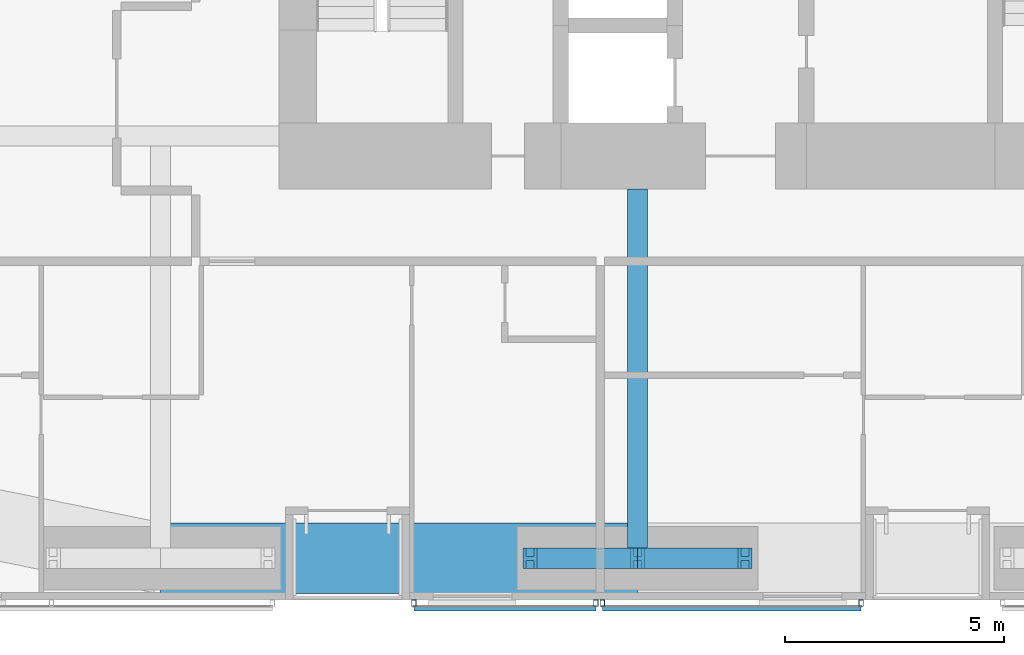
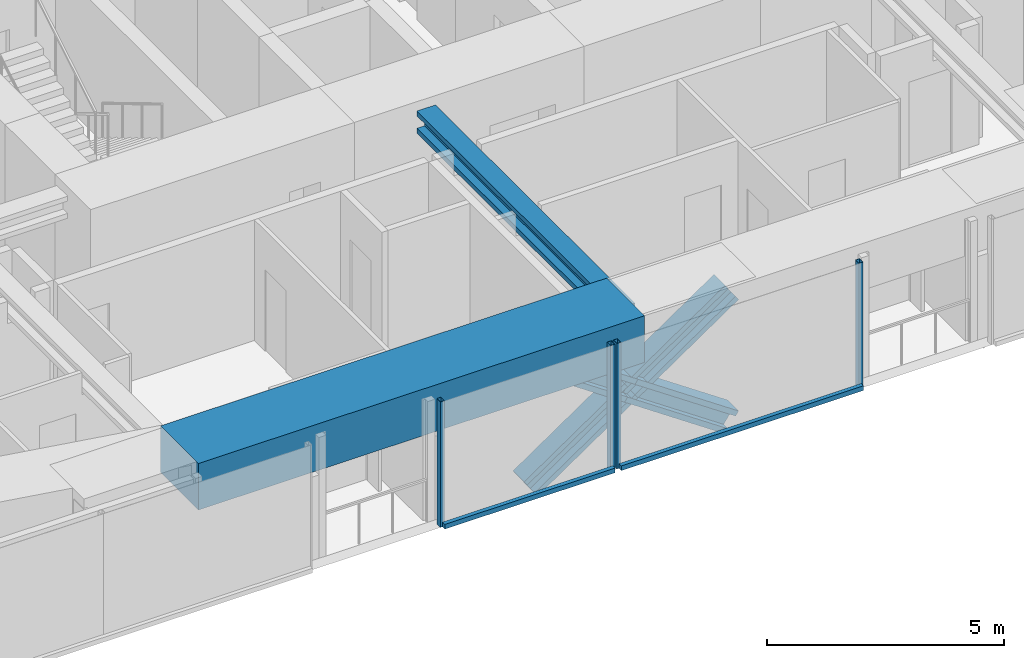
# One storey, part 4 of 24: 10 members, 2 beams, 2 elements without a shape of their own.
"""IFC4 building model written with IfcOpenShell, lengths in metres."""

from ifc_helpers import new_model, si_unit, direction, frame, origin, origin_2d, place, context, subcontext, project, spatial, rectangle, hollow_rectangle, i_section, extrude, material, material_profile, profile_set, type_object, element, aggregate, save


model = new_model("IFC4")

# Units and contexts
model_context = context("Model", 3, precision=1e-05, world=origin(), true_north=direction((0.0, 1.0)))
body_context = subcontext(model_context, "Body", "Model", "MODEL_VIEW")
ifc_project = project(units=[si_unit("LENGTHUNIT", "METRE"), si_unit("AREAUNIT", "SQUARE_METRE"), si_unit("VOLUMEUNIT", "CUBIC_METRE"), si_unit("PLANEANGLEUNIT", "RADIAN"), si_unit("MASSUNIT", "GRAM", prefix="KILO")], contexts=[model_context])

# Site, building, storey
site_placement = place(None, origin())
site = spatial("IfcSite", under=ifc_project, at=site_placement, CompositionType="ELEMENT")
building_placement = place(site_placement, origin())
building = spatial("IfcBuilding", under=site, at=building_placement, Name="Jalousie Tower", CompositionType="ELEMENT")
storey_placement = place(building_placement, frame((0.0, 0.0, 124.949951171875)))
storey = spatial("IfcBuildingStorey", under=building, at=storey_placement, Name="L34", CompositionType="ELEMENT", Elevation=124.949951171875)

# Beam
ifc_material_1 = material(Name="Steel ASTM A992 Grade 50", Category="steel")
ifc_material_profile_1 = material_profile(ifc_material_1, i_section(OverallWidth=0.45458984375, OverallDepth=0.569091796875, WebThickness=0.077880859375, FlangeThickness=0.124755859375, at=origin_2d()), Name="W14X730")
ifc_profile_set_1 = profile_set([ifc_material_profile_1], Name="Steel ASTM A992 Grade 50")
beam_type_1 = type_object("IfcBeamType", Name="LEAN COLLECTOR W14X730", PredefinedType="BEAM", material=ifc_profile_set_1)
beam_1_placement = place(storey_placement, frame((27.75, 0.949951171875, 2.825439453125), z_axis=(0.0, 1.0, 0.0), x_axis=(-1.0, 0.0, 0.0)))
element("IfcBeam", 1, at=beam_1_placement, inside=storey, type_object=beam_type_1, Name="Lean collector under L35", PredefinedType="BEAM", context=body_context, shape_type="SweptSolid", body=[
    extrude(i_section(OverallWidth=0.45458984375, OverallDepth=0.569091796875, WebThickness=0.077880859375, FlangeThickness=0.124755859375, at=origin_2d()), origin(), (0.0, 0.0, 1.0), 8.425048828125),
])

# Members
ifc_material_2 = material(Name="Steel ASTM A992 Grade 50", Category="steel")
ifc_material_profile_2 = material_profile(ifc_material_2, i_section(OverallWidth=0.472412109375, OverallDepth=0.5791015625, WebThickness=0.094970703125, FlangeThickness=0.1298828125, at=origin_2d()), Name="W14X808")
ifc_profile_set_2 = profile_set([ifc_material_profile_2], Name="Steel ASTM A992 Grade 50")
member_type_1 = type_object("IfcMemberType", Name="PERIMETER BRACE W14X808", PredefinedType="BRACE", material=ifc_profile_set_2)
for number, where, z_axis, x_axis, name in (
    (2, (25.300048828125, 0.949951171875, -0.599853515625), (0.825539243753, 0.0, 0.564344714713), (0.0, 1.0, 0.0), "Perimeter brace 03 L34 part 1"),
    (3, (27.75, 0.949951171875, 1.074951171875), (0.825500916831, 0.0, 0.564400776321), (0.0, 1.0, 0.0), "Perimeter brace 03 L34 part 2"),
    (4, (30.199951171875, 0.949951171875, -0.599853515625), (-0.825539243753, 0.0, 0.564344714713), (0.0, -1.0, 0.0), "Perimeter brace 03 L34 part 3"),
    (5, (27.75, 0.949951171875, 1.074951171875), (-0.825500916831, 0.0, 0.564400776321), (0.0, -1.0, 0.0), "Perimeter brace 03 L34 part 4"),
):
    element("IfcMember", number, at=place(storey_placement, frame(where, z_axis=z_axis, x_axis=x_axis)), inside=storey, type_object=member_type_1, Name=name, PredefinedType="BRACE", context=body_context, shape_type="SweptSolid", body=[
        extrude(i_section(OverallWidth=0.472412109375, OverallDepth=0.5791015625, WebThickness=0.094970703125, FlangeThickness=0.1298828125, at=origin_2d()), origin(), (0.0, 0.0, 1.0), 2.9677734375),
    ])

# Beam
ifc_material_3 = material(Name="Concrete f'c 40 MPa", Category="concrete")
ifc_material_profile_3 = material_profile(ifc_material_3, rectangle(XDim=1.60009765625, YDim=1.199951171875, at=origin_2d()), Name="RC 1600x1200")
ifc_profile_set_3 = profile_set([ifc_material_profile_3], Name="Concrete f'c 40 MPa")
beam_type_2 = type_object("IfcBeamType", Name="RC BEAM 1600x1200", PredefinedType="BEAM", material=ifc_profile_set_3)
beam_2_placement = place(storey_placement, frame((16.875, 0.949951171875, 2.75), z_axis=(1.0, 0.0, 0.0), x_axis=(0.0, 1.0, 0.0)))
element("IfcBeam", 6, at=beam_2_placement, inside=storey, type_object=beam_type_2, Name="Edge band beam 02-03 under L35", PredefinedType="BEAM", context=body_context, shape_type="SweptSolid", body=[
    extrude(rectangle(XDim=1.60009765625, YDim=1.199951171875, at=origin_2d()), origin(), (0.0, 0.0, 1.0), 10.875),
])

# Curtain wall, members
ifc_material_4 = material(Name="Perforated aluminium sheet", Category="aluminium")
curtain_wall_type = type_object("IfcCurtainWallType", Name="SOLAR SCREEN SS-1", PredefinedType="USERDEFINED", material=ifc_material_4)
curtain_wall_1_placement = place(storey_placement, origin())
curtain_wall_1 = element("IfcCurtainWall", 7, at=curtain_wall_1_placement, inside=storey, type_object=curtain_wall_type, Name="Solar screen L34", ObjectType="SOLAR SCREEN SS-1", PredefinedType="USERDEFINED")
ifc_material_5 = material(Name="Steel ASTM A500 Grade C", Category="steel")
ifc_material_profile_4 = material_profile(ifc_material_5, hollow_rectangle(XDim=0.1015625, YDim=0.15234375, WallThickness=0.00634765625, at=origin_2d()), Name="HSS6X4X1/4")
ifc_profile_set_4 = profile_set([ifc_material_profile_4], Name="Steel ASTM A500 Grade C")
member_type_2 = type_object("IfcMemberType", Name="SOLAR SCREEN SS-1 MULLION", PredefinedType="MULLION", material=ifc_profile_set_4)
member_1_placement = place(storey_placement, frame((22.64990234375, -0.0712890625, -0.119873046875), z_axis=(0.0, 0.0, 1.0), x_axis=(1.0, 0.0, 0.0)))
member_1 = element("IfcMember", 8, at=member_1_placement, type_object=member_type_2, Name="SS1 post 1", PredefinedType="MULLION", context=body_context, shape_type="SweptSolid", body=[
    extrude(hollow_rectangle(XDim=0.1015625, YDim=0.15234375, WallThickness=0.00634765625, at=origin_2d()), origin(), (0.0, 0.0, 1.0), 3.22998046875),
])
member_2_placement = place(storey_placement, frame((26.800048828125, -0.0712890625, -0.119873046875), z_axis=(0.0, 0.0, 1.0), x_axis=(1.0, 0.0, 0.0)))
member_2 = element("IfcMember", 9, at=member_2_placement, type_object=member_type_2, Name="SS1 post 2", PredefinedType="MULLION", context=body_context, shape_type="SweptSolid", body=[
    extrude(hollow_rectangle(XDim=0.1015625, YDim=0.15234375, WallThickness=0.00634765625, at=origin_2d()), origin(), (0.0, 0.0, 1.0), 3.22998046875),
])

curtain_wall_2_placement = place(storey_placement, origin())
curtain_wall_2 = element("IfcCurtainWall", 10, at=curtain_wall_2_placement, inside=storey, type_object=curtain_wall_type, Name="Solar screen L34", ObjectType="SOLAR SCREEN SS-1", PredefinedType="USERDEFINED")
member_3_placement = place(storey_placement, frame((26.949951171875, -0.0712890625, -0.119873046875), z_axis=(0.0, 0.0, 1.0), x_axis=(1.0, 0.0, 0.0)))
member_3 = element("IfcMember", 11, at=member_3_placement, type_object=member_type_2, Name="SS1 post 1", PredefinedType="MULLION", context=body_context, shape_type="SweptSolid", body=[
    extrude(hollow_rectangle(XDim=0.1015625, YDim=0.15234375, WallThickness=0.00634765625, at=origin_2d()), origin(), (0.0, 0.0, 1.0), 3.22998046875),
])
member_4_placement = place(storey_placement, frame((32.85009765625, -0.0712890625, -0.119873046875), z_axis=(0.0, 0.0, 1.0), x_axis=(1.0, 0.0, 0.0)))
member_4 = element("IfcMember", 12, at=member_4_placement, type_object=member_type_2, Name="SS1 post 2", PredefinedType="MULLION", context=body_context, shape_type="SweptSolid", body=[
    extrude(hollow_rectangle(XDim=0.1015625, YDim=0.15234375, WallThickness=0.00634765625, at=origin_2d()), origin(), (0.0, 0.0, 1.0), 3.22998046875),
])

# Member
ifc_material_6 = material(Name="Extruded aluminium screen rail", Category="aluminium")
ifc_material_profile_5 = material_profile(ifc_material_6, rectangle(XDim=0.1015625, YDim=0.1201171875, at=origin_2d()), Name="RAIL 102x120")
ifc_profile_set_5 = profile_set([ifc_material_profile_5], Name="Extruded aluminium screen rail")
member_type_3 = type_object("IfcMemberType", Name="SOLAR SCREEN SS-1 TRANSOM", PredefinedType="USERDEFINED", material=ifc_profile_set_5)
member_5_placement = place(storey_placement, frame((22.64990234375, -0.1982421875, -0.06005859375), z_axis=(1.0, 0.0, 0.0), x_axis=(0.0, 1.0, 0.0)))
member_5 = element("IfcMember", 13, at=member_5_placement, type_object=member_type_3, Name="SS1 rail", ObjectType="TRANSOM", PredefinedType="USERDEFINED", context=body_context, shape_type="SweptSolid", body=[
    extrude(rectangle(XDim=0.1015625, YDim=0.1201171875, at=origin_2d()), origin(), (0.0, 0.0, 1.0), 4.150146484375),
])

aggregate(curtain_wall_1, [member_1, member_2, member_5])

member_6_placement = place(storey_placement, frame((26.949951171875, -0.1982421875, -0.06005859375), z_axis=(1.0, 0.0, 0.0), x_axis=(0.0, 1.0, 0.0)))
member_6 = element("IfcMember", 14, at=member_6_placement, type_object=member_type_3, Name="SS1 rail", ObjectType="TRANSOM", PredefinedType="USERDEFINED", context=body_context, shape_type="SweptSolid", body=[
    extrude(rectangle(XDim=0.1015625, YDim=0.1201171875, at=origin_2d()), origin(), (0.0, 0.0, 1.0), 5.900146484375),
])

aggregate(curtain_wall_2, [member_3, member_4, member_6])

save(model, "model.ifc")
